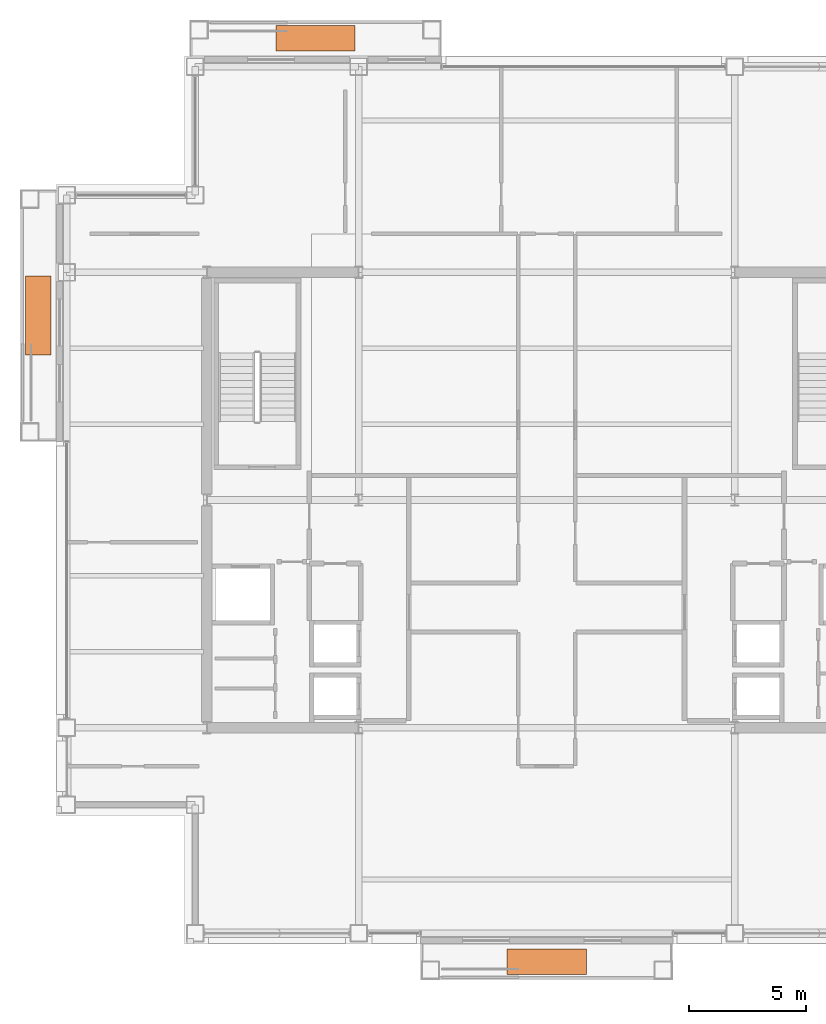
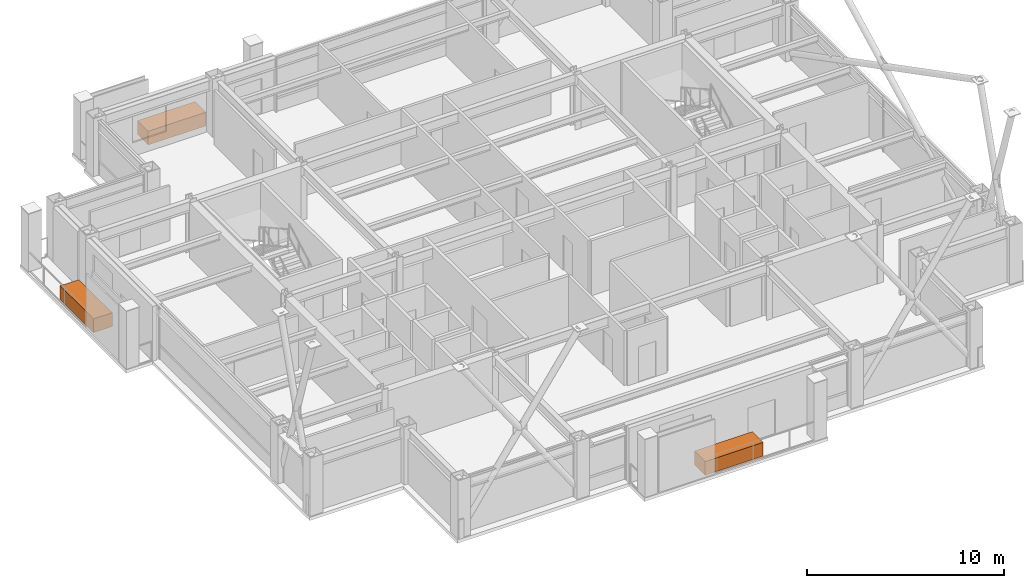
# One storey, part 30 of 30: 3 proxies.
"""IFC4 building model written with IfcOpenShell, lengths in metres."""

import ifcopenshell
import ifcopenshell.guid

model = None  # the IFC model being written
_history = None  # IfcOwnerHistory: only IFC2X3 demands one
_inside = {}  # id of a spatial element -> (the spatial element, [elements in it])
_under = {}  # id of a project, library or spatial element -> (it, [spatial elements below it])
_declared = {}  # id of a project -> (the project, [libraries it declares])
_typed = {}  # id of a type object -> (the type object, [elements of that type])
_made_of = {}  # id of a material, layer set ... -> (it, [elements and type objects made of it])


def new_model(schema):
    """Start an empty IFC model of exactly this schema.

    Asked for "IFC4X3", IfcOpenShell would pick the latest addendum, in which some entities
    have other attributes; the version numbers below select the first issue.
    IFC2X3 requires an IfcOwnerHistory on every rooted entity: one is made here for all.
    """
    global model, _history
    if schema == "IFC4X3":
        model = ifcopenshell.file(schema_version=(4, 3, 0, 0))
    else:
        model = ifcopenshell.file(schema=schema)
    _inside.clear()
    _under.clear()
    _declared.clear()
    _typed.clear()
    _made_of.clear()
    _history = None
    if model.schema == "IFC2X3":
        org = make("IfcOrganization", Name="unknown")
        user = make(
            "IfcPersonAndOrganization",
            ThePerson=make("IfcPerson", FamilyName="unknown"),
            TheOrganization=org,
        )
        app = make(
            "IfcApplication",
            ApplicationDeveloper=org,
            Version="unknown",
            ApplicationFullName="unknown",
            ApplicationIdentifier="unknown",
        )
        _history = make(
            "IfcOwnerHistory",
            OwningUser=user,
            OwningApplication=app,
            ChangeAction="ADDED",
            CreationDate=0,
        )
    return model


def make(cls, **values):
    """One entity of the class cls with the attributes given. An attribute that is None is left unset."""
    return model.create_entity(
        cls, **{name: value for name, value in values.items() if value is not None}
    )


def rooted(cls, **values):
    """An entity with a GlobalId (a new one), such as an element, a storey or a relation."""
    return make(cls, GlobalId=ifcopenshell.guid.new(), OwnerHistory=_history, **values)


def si_unit(unit_type, name, prefix=None):
    """IfcSIUnit, for example si_unit("LENGTHUNIT", "METRE", prefix="MILLI")."""
    return make("IfcSIUnit", UnitType=unit_type, Prefix=prefix, Name=name)


def assignment(units):
    """IfcUnitAssignment: the units of a project."""
    return None if units is None else make("IfcUnitAssignment", Units=units)


def point(xyz):
    """IfcCartesianPoint."""
    return None if xyz is None else make("IfcCartesianPoint", Coordinates=xyz)


def direction(xyz):
    """IfcDirection."""
    return None if xyz is None else make("IfcDirection", DirectionRatios=xyz)


def frame(location, z_axis=None, x_axis=None):
    """IfcAxis2Placement3D, a coordinate frame: its origin and axes. An axis left out is left unset."""
    return make(
        "IfcAxis2Placement3D",
        Location=point(location),
        Axis=direction(z_axis),
        RefDirection=direction(x_axis),
    )


def frame_2d(location, x_axis=None):
    """IfcAxis2Placement2D, a coordinate frame in the plane: its origin and x axis."""
    return make(
        "IfcAxis2Placement2D", Location=point(location), RefDirection=direction(x_axis)
    )


def origin():
    """The frame at (0, 0, 0) with its axes left unset."""
    return frame((0.0, 0.0, 0.0))


def origin_2d():
    """The frame at (0, 0) in the plane with its x axis left unset."""
    return frame_2d((0.0, 0.0))


def place(relative_to, where):
    """IfcLocalPlacement: puts the frame where relative to a parent placement (None: the world)."""
    return make(
        "IfcLocalPlacement", PlacementRelTo=relative_to, RelativePlacement=where
    )


def context(
    kind, dimensions, precision=None, world=None, true_north=None, identifier=None
):
    """IfcGeometricRepresentationContext, for example the 3D "Model" context."""
    return make(
        "IfcGeometricRepresentationContext",
        ContextIdentifier=identifier,
        ContextType=kind,
        CoordinateSpaceDimension=dimensions,
        Precision=precision,
        WorldCoordinateSystem=world,
        TrueNorth=true_north,
    )


def subcontext(parent, identifier, kind, view, scale=None):
    """IfcGeometricRepresentationSubContext, for example "Body" below "Model"."""
    return make(
        "IfcGeometricRepresentationSubContext",
        ContextIdentifier=identifier,
        ContextType=kind,
        ParentContext=parent,
        TargetScale=scale,
        TargetView=view,
    )


def project(units=None, contexts=None):
    """IfcProject with its units and contexts."""
    return rooted(
        "IfcProject",
        Name="project",
        RepresentationContexts=contexts,
        UnitsInContext=assignment(units),
    )


def spatial(cls, under=None, at=None, **own):
    """A site, building, storey or space (cls), placed at a placement, below another one or the project."""
    s = rooted(cls, ObjectPlacement=at, **own)
    if under is not None:
        _under.setdefault(under.id(), (under, []))[1].append(s)
    return s


def profile(cls, at=None, kind="AREA", **sizes):
    """A parametric profile (cls). Its sizes go by their IFC names, for example OverallWidth=200.0."""
    return make(cls, ProfileType=kind, Position=at, **sizes)


def rectangle(**sizes):
    """IfcRectangleProfileDef."""
    return profile("IfcRectangleProfileDef", **sizes)


def extrude(swept, where, along, depth):
    """IfcExtrudedAreaSolid: the profile swept, set in the frame where, extruded along a direction by depth."""
    return make(
        "IfcExtrudedAreaSolid",
        SweptArea=swept,
        Position=where,
        ExtrudedDirection=direction(along),
        Depth=depth,
    )


def shape(context_of_items, identifier, shape_type, items):
    """IfcShapeRepresentation: the items that make up one representation, for example the "Body"."""
    return make(
        "IfcShapeRepresentation",
        ContextOfItems=context_of_items,
        RepresentationIdentifier=identifier,
        RepresentationType=shape_type,
        Items=items,
    )


def material(Name=None, Category=None):
    """IfcMaterial."""
    return make("IfcMaterial", Name=Name, Category=Category)


def made_of(thing, what):
    """Note that an element or type object is made of a material, layer set ...; save() writes the relation."""
    if what is not None:
        _made_of.setdefault(what.id(), (what, []))[1].append(thing)
    return thing


def type_object(cls, material=None, **own):
    """A type object (cls), such as IfcWallType, which elements share."""
    return made_of(rooted(cls, **own), material)


def element(
    cls,
    number,
    at=None,
    inside=None,
    cuts=None,
    type_object=None,
    material=None,
    context=None,
    identifier="Body",
    shape_type=None,
    held_by="IfcProductDefinitionShape",
    body=None,
    shapes=None,
    **own,
):
    """One element of the class cls, such as IfcWall. Its Tag is "e" and its number.

    at: its placement. inside: the storey or other place that contains it. cuts: it is an
    opening in that element (IfcRelVoidsElement). A single representation is given by context,
    identifier, shape_type and body (its items); several are given by shapes. held_by: the class
    of the entity that holds the representations. save() writes the other relations.
    """
    e = rooted(cls, Tag="e%d" % number, ObjectPlacement=at, **own)
    if body is not None:
        shapes = [shape(context, identifier, shape_type, body)]
    if shapes is not None:
        e.Representation = make(held_by, Representations=shapes)
    if inside is not None:
        _inside.setdefault(inside.id(), (inside, []))[1].append(e)
    if cuts is not None:
        rooted(
            "IfcRelVoidsElement", RelatingBuildingElement=cuts, RelatedOpeningElement=e
        )
    if type_object is not None:
        _typed.setdefault(type_object.id(), (type_object, []))[1].append(e)
    return made_of(e, material)


def aggregate(whole, parts):
    """IfcRelAggregates: a whole, such as a stair, and the parts it consists of."""
    return rooted("IfcRelAggregates", RelatingObject=whole, RelatedObjects=parts)


def save(model, path):
    """Write the relations noted so far, then the file.

    IfcRelAggregates (storeys below a building ...), IfcRelContainedInSpatialStructure (elements
    in a storey), IfcRelDefinesByType, IfcRelAssociatesMaterial and IfcRelDeclares: one each for
    every whole, place, type object, material and project.
    """
    for whole, parts in _under.values():
        aggregate(whole, parts)
    for where, things in _inside.values():
        rooted(
            "IfcRelContainedInSpatialStructure",
            RelatedElements=things,
            RelatingStructure=where,
        )
    for kind, things in _typed.values():
        rooted("IfcRelDefinesByType", RelatedObjects=things, RelatingType=kind)
    for what, things in _made_of.values():
        rooted("IfcRelAssociatesMaterial", RelatedObjects=things, RelatingMaterial=what)
    for by, libraries in _declared.values():
        rooted("IfcRelDeclares", RelatingContext=by, RelatedDefinitions=libraries)
    model.write(path)


model = new_model("IFC4")

# Units and contexts
model_context = context("Model", 3, precision=1e-05, world=origin(), true_north=direction((0.0, 1.0)))
body_context = subcontext(model_context, "Body", "Model", "MODEL_VIEW")
ifc_project = project(units=[si_unit("LENGTHUNIT", "METRE"), si_unit("AREAUNIT", "SQUARE_METRE"), si_unit("VOLUMEUNIT", "CUBIC_METRE"), si_unit("PLANEANGLEUNIT", "RADIAN"), si_unit("MASSUNIT", "GRAM", prefix="KILO")], contexts=[model_context])

# Site, building, storey
site_placement = place(None, origin())
site = spatial("IfcSite", under=ifc_project, at=site_placement, CompositionType="ELEMENT")
building_placement = place(site_placement, origin())
building = spatial("IfcBuilding", under=site, at=building_placement, Name="Brelmoor Portico Tower", CompositionType="ELEMENT")
storey_placement = place(building_placement, frame((0.0, 0.0, 173.10009765625)))
storey = spatial("IfcBuildingStorey", under=building, at=storey_placement, Name="L45", CompositionType="ELEMENT", Elevation=173.10009765625)

# Proxies
ifc_material = material(Name="Architectural Precast Concrete C40", Category="concrete")
building_element_proxy_type = type_object("IfcBuildingElementProxyType", Name="TREE PLANTER", PredefinedType="USERDEFINED", material=ifc_material)
for number, where, z_axis, x_axis, name in (
    (1, (0.0, -19.77490234375, -0.000244140625), (0.0, 0.0, 1.0), (1.0, 0.0, 0.0), "L45 Planted Tree Planter S"),
    (2, (-9.89990234375, 19.77490234375, -0.000244140625), (0.0, 0.0, 1.0), (1.0, 0.0, 0.0), "L45 Planted Tree Planter N"),
    (3, (-21.77490234375, 7.89990234375, -0.000244140625), (0.0, 0.0, 1.0), (0.0, 1.0, 0.0), "L45 Planted Tree Planter W"),
):
    element("IfcBuildingElementProxy", number, at=place(storey_placement, frame(where, z_axis=z_axis, x_axis=x_axis)), inside=storey, type_object=building_element_proxy_type, Name=name, ObjectType="PLANTER", PredefinedType="USERDEFINED", context=body_context, shape_type="SweptSolid", body=[
        extrude(rectangle(XDim=3.39990234375, YDim=1.10009765625, at=origin_2d()), origin(), (0.0, 0.0, 1.0), 0.85009765625),
    ])

save(model, "model.ifc")
